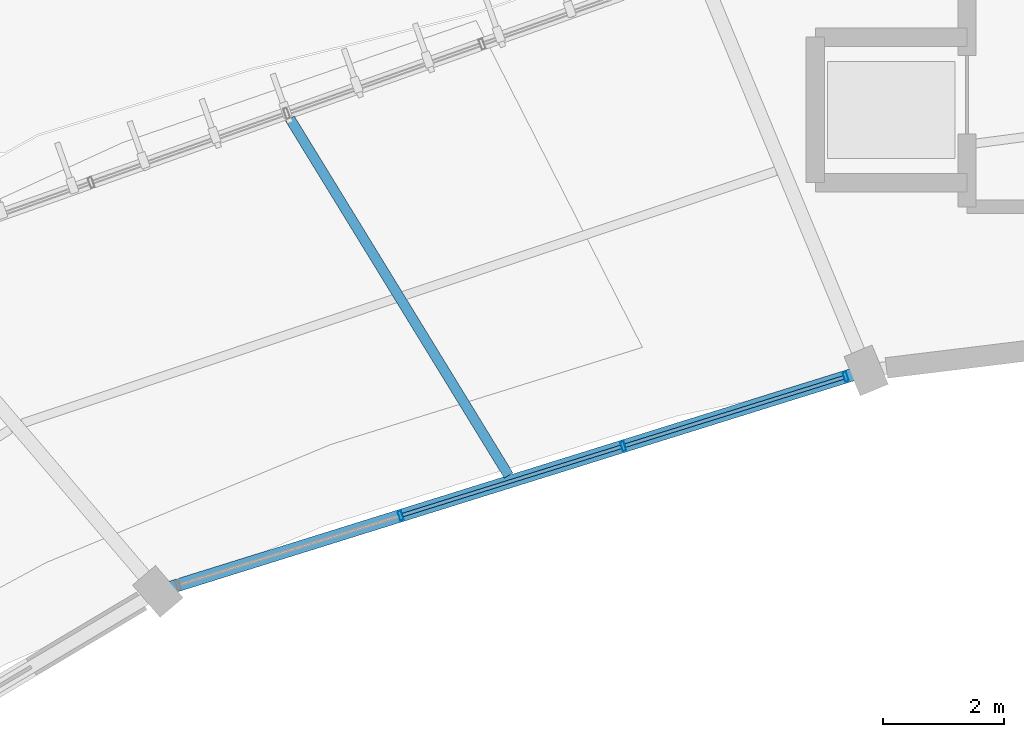
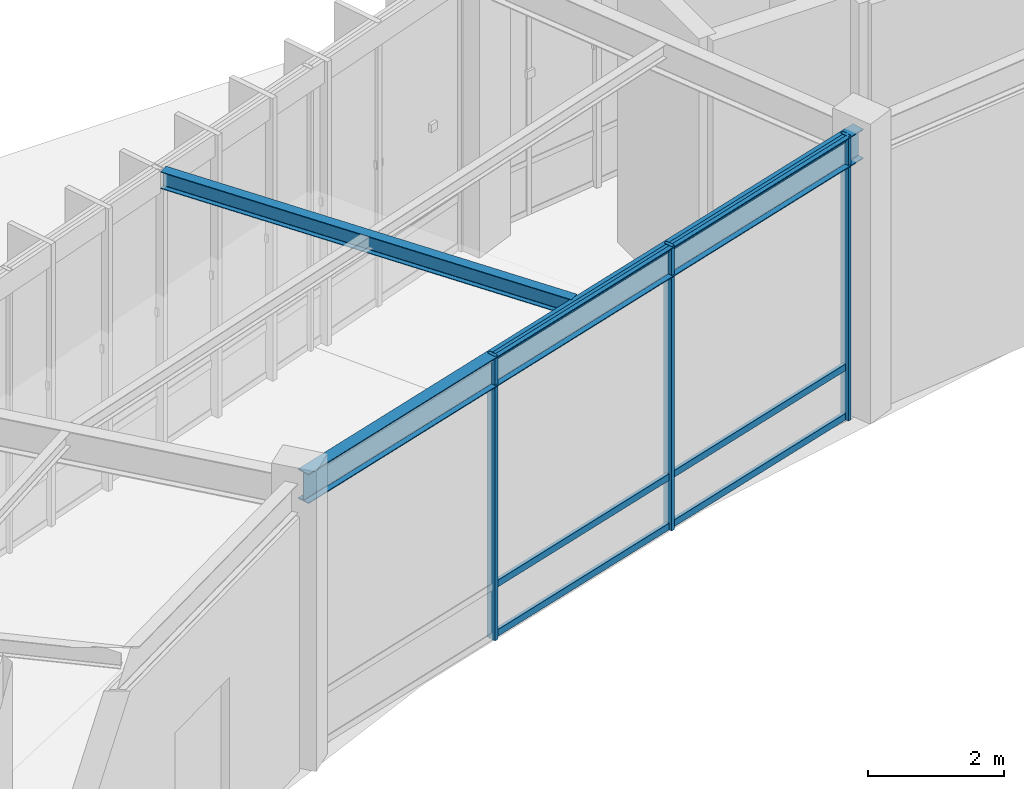
# One storey, part 67 of 157: 9 members, 2 beams, 1 element without a shape of its own.
"""IFC4 building model written with IfcOpenShell, lengths in metres."""

import ifcopenshell
import ifcopenshell.guid

model = None  # the IFC model being written
_history = None  # IfcOwnerHistory: only IFC2X3 demands one
_inside = {}  # id of a spatial element -> (the spatial element, [elements in it])
_under = {}  # id of a project, library or spatial element -> (it, [spatial elements below it])
_declared = {}  # id of a project -> (the project, [libraries it declares])
_typed = {}  # id of a type object -> (the type object, [elements of that type])
_made_of = {}  # id of a material, layer set ... -> (it, [elements and type objects made of it])


def new_model(schema):
    """Start an empty IFC model of exactly this schema.

    Asked for "IFC4X3", IfcOpenShell would pick the latest addendum, in which some entities
    have other attributes; the version numbers below select the first issue.
    IFC2X3 requires an IfcOwnerHistory on every rooted entity: one is made here for all.
    """
    global model, _history
    if schema == "IFC4X3":
        model = ifcopenshell.file(schema_version=(4, 3, 0, 0))
    else:
        model = ifcopenshell.file(schema=schema)
    _inside.clear()
    _under.clear()
    _declared.clear()
    _typed.clear()
    _made_of.clear()
    _history = None
    if model.schema == "IFC2X3":
        org = make("IfcOrganization", Name="unknown")
        user = make(
            "IfcPersonAndOrganization",
            ThePerson=make("IfcPerson", FamilyName="unknown"),
            TheOrganization=org,
        )
        app = make(
            "IfcApplication",
            ApplicationDeveloper=org,
            Version="unknown",
            ApplicationFullName="unknown",
            ApplicationIdentifier="unknown",
        )
        _history = make(
            "IfcOwnerHistory",
            OwningUser=user,
            OwningApplication=app,
            ChangeAction="ADDED",
            CreationDate=0,
        )
    return model


def make(cls, **values):
    """One entity of the class cls with the attributes given. An attribute that is None is left unset."""
    return model.create_entity(
        cls, **{name: value for name, value in values.items() if value is not None}
    )


def rooted(cls, **values):
    """An entity with a GlobalId (a new one), such as an element, a storey or a relation."""
    return make(cls, GlobalId=ifcopenshell.guid.new(), OwnerHistory=_history, **values)


def si_unit(unit_type, name, prefix=None):
    """IfcSIUnit, for example si_unit("LENGTHUNIT", "METRE", prefix="MILLI")."""
    return make("IfcSIUnit", UnitType=unit_type, Prefix=prefix, Name=name)


def assignment(units):
    """IfcUnitAssignment: the units of a project."""
    return None if units is None else make("IfcUnitAssignment", Units=units)


def point(xyz):
    """IfcCartesianPoint."""
    return None if xyz is None else make("IfcCartesianPoint", Coordinates=xyz)


def direction(xyz):
    """IfcDirection."""
    return None if xyz is None else make("IfcDirection", DirectionRatios=xyz)


def frame(location, z_axis=None, x_axis=None):
    """IfcAxis2Placement3D, a coordinate frame: its origin and axes. An axis left out is left unset."""
    return make(
        "IfcAxis2Placement3D",
        Location=point(location),
        Axis=direction(z_axis),
        RefDirection=direction(x_axis),
    )


def frame_2d(location, x_axis=None):
    """IfcAxis2Placement2D, a coordinate frame in the plane: its origin and x axis."""
    return make(
        "IfcAxis2Placement2D", Location=point(location), RefDirection=direction(x_axis)
    )


def origin():
    """The frame at (0, 0, 0) with its axes left unset."""
    return frame((0.0, 0.0, 0.0))


def origin_2d():
    """The frame at (0, 0) in the plane with its x axis left unset."""
    return frame_2d((0.0, 0.0))


def place(relative_to, where):
    """IfcLocalPlacement: puts the frame where relative to a parent placement (None: the world)."""
    return make(
        "IfcLocalPlacement", PlacementRelTo=relative_to, RelativePlacement=where
    )


def context(
    kind, dimensions, precision=None, world=None, true_north=None, identifier=None
):
    """IfcGeometricRepresentationContext, for example the 3D "Model" context."""
    return make(
        "IfcGeometricRepresentationContext",
        ContextIdentifier=identifier,
        ContextType=kind,
        CoordinateSpaceDimension=dimensions,
        Precision=precision,
        WorldCoordinateSystem=world,
        TrueNorth=true_north,
    )


def subcontext(parent, identifier, kind, view, scale=None):
    """IfcGeometricRepresentationSubContext, for example "Body" below "Model"."""
    return make(
        "IfcGeometricRepresentationSubContext",
        ContextIdentifier=identifier,
        ContextType=kind,
        ParentContext=parent,
        TargetScale=scale,
        TargetView=view,
    )


def project(units=None, contexts=None):
    """IfcProject with its units and contexts."""
    return rooted(
        "IfcProject",
        Name="project",
        RepresentationContexts=contexts,
        UnitsInContext=assignment(units),
    )


def spatial(cls, under=None, at=None, **own):
    """A site, building, storey or space (cls), placed at a placement, below another one or the project."""
    s = rooted(cls, ObjectPlacement=at, **own)
    if under is not None:
        _under.setdefault(under.id(), (under, []))[1].append(s)
    return s


def profile(cls, at=None, kind="AREA", **sizes):
    """A parametric profile (cls). Its sizes go by their IFC names, for example OverallWidth=200.0."""
    return make(cls, ProfileType=kind, Position=at, **sizes)


def hollow_rectangle(**sizes):
    """IfcRectangleHollowProfileDef."""
    return profile("IfcRectangleHollowProfileDef", **sizes)


def i_section(**sizes):
    """IfcIShapeProfileDef."""
    return profile("IfcIShapeProfileDef", **sizes)


def extrude(swept, where, along, depth):
    """IfcExtrudedAreaSolid: the profile swept, set in the frame where, extruded along a direction by depth."""
    return make(
        "IfcExtrudedAreaSolid",
        SweptArea=swept,
        Position=where,
        ExtrudedDirection=direction(along),
        Depth=depth,
    )


def shape(context_of_items, identifier, shape_type, items):
    """IfcShapeRepresentation: the items that make up one representation, for example the "Body"."""
    return make(
        "IfcShapeRepresentation",
        ContextOfItems=context_of_items,
        RepresentationIdentifier=identifier,
        RepresentationType=shape_type,
        Items=items,
    )


def material(Name=None, Category=None):
    """IfcMaterial."""
    return make("IfcMaterial", Name=Name, Category=Category)


def material_profile(
    of_material, cross_section, Name=None, Category=None, Priority=None
):
    """IfcMaterialProfile: a cross section and its material."""
    return make(
        "IfcMaterialProfile",
        Name=Name,
        Material=of_material,
        Profile=cross_section,
        Priority=Priority,
        Category=Category,
    )


def profile_set(profiles, Name=None, composite=None):
    """IfcMaterialProfileSet."""
    return make(
        "IfcMaterialProfileSet",
        Name=Name,
        MaterialProfiles=profiles,
        CompositeProfile=composite,
    )


def made_of(thing, what):
    """Note that an element or type object is made of a material, layer set ...; save() writes the relation."""
    if what is not None:
        _made_of.setdefault(what.id(), (what, []))[1].append(thing)
    return thing


def type_object(cls, material=None, **own):
    """A type object (cls), such as IfcWallType, which elements share."""
    return made_of(rooted(cls, **own), material)


def element(
    cls,
    number,
    at=None,
    inside=None,
    cuts=None,
    type_object=None,
    material=None,
    context=None,
    identifier="Body",
    shape_type=None,
    held_by="IfcProductDefinitionShape",
    body=None,
    shapes=None,
    **own,
):
    """One element of the class cls, such as IfcWall. Its Tag is "e" and its number.

    at: its placement. inside: the storey or other place that contains it. cuts: it is an
    opening in that element (IfcRelVoidsElement). A single representation is given by context,
    identifier, shape_type and body (its items); several are given by shapes. held_by: the class
    of the entity that holds the representations. save() writes the other relations.
    """
    e = rooted(cls, Tag="e%d" % number, ObjectPlacement=at, **own)
    if body is not None:
        shapes = [shape(context, identifier, shape_type, body)]
    if shapes is not None:
        e.Representation = make(held_by, Representations=shapes)
    if inside is not None:
        _inside.setdefault(inside.id(), (inside, []))[1].append(e)
    if cuts is not None:
        rooted(
            "IfcRelVoidsElement", RelatingBuildingElement=cuts, RelatedOpeningElement=e
        )
    if type_object is not None:
        _typed.setdefault(type_object.id(), (type_object, []))[1].append(e)
    return made_of(e, material)


def aggregate(whole, parts):
    """IfcRelAggregates: a whole, such as a stair, and the parts it consists of."""
    return rooted("IfcRelAggregates", RelatingObject=whole, RelatedObjects=parts)


def save(model, path):
    """Write the relations noted so far, then the file.

    IfcRelAggregates (storeys below a building ...), IfcRelContainedInSpatialStructure (elements
    in a storey), IfcRelDefinesByType, IfcRelAssociatesMaterial and IfcRelDeclares: one each for
    every whole, place, type object, material and project.
    """
    for whole, parts in _under.values():
        aggregate(whole, parts)
    for where, things in _inside.values():
        rooted(
            "IfcRelContainedInSpatialStructure",
            RelatedElements=things,
            RelatingStructure=where,
        )
    for kind, things in _typed.values():
        rooted("IfcRelDefinesByType", RelatedObjects=things, RelatingType=kind)
    for what, things in _made_of.values():
        rooted("IfcRelAssociatesMaterial", RelatedObjects=things, RelatingMaterial=what)
    for by, libraries in _declared.values():
        rooted("IfcRelDeclares", RelatingContext=by, RelatedDefinitions=libraries)
    model.write(path)


model = new_model("IFC4")

# Units and contexts
model_context = context("Model", 3, precision=1e-05, world=origin(), true_north=direction((0.0, 1.0)))
body_context = subcontext(model_context, "Body", "Model", "MODEL_VIEW")
ifc_project = project(units=[si_unit("LENGTHUNIT", "METRE"), si_unit("AREAUNIT", "SQUARE_METRE"), si_unit("VOLUMEUNIT", "CUBIC_METRE"), si_unit("PLANEANGLEUNIT", "RADIAN"), si_unit("MASSUNIT", "GRAM", prefix="KILO"), si_unit("THERMODYNAMICTEMPERATUREUNIT", "KELVIN"), si_unit("POWERUNIT", "WATT")], contexts=[model_context])

# Site, building, storey
site_placement = place(None, origin())
site = spatial("IfcSite", under=ifc_project, at=site_placement, CompositionType="ELEMENT")
building_placement = place(site_placement, origin())
building = spatial("IfcBuilding", under=site, at=building_placement, Name="Darbajah Civic Hall", CompositionType="ELEMENT")
storey_placement = place(building_placement, origin())
storey = spatial("IfcBuildingStorey", under=building, at=storey_placement, Name="L00", CompositionType="ELEMENT", Elevation=0.0)

# Curtain wall, members
ifc_material_1 = material(Name="Anodised Bronze Aluminium and Low-E Glazing", Category="aluminium")
curtain_wall_type = type_object("IfcCurtainWallType", Name="Unitised Curtain Wall CW-07 11500x5100", PredefinedType="USERDEFINED", material=ifc_material_1)
curtain_wall_placement = place(storey_placement, origin())
curtain_wall = element("IfcCurtainWall", 1, at=curtain_wall_placement, inside=storey, type_object=curtain_wall_type, Name="L00 unitised curtain wall CW-V1I-L00-06", ObjectType="UNITISED CURTAIN WALL", PredefinedType="USERDEFINED")
ifc_material_2 = material(Name="Anodised Bronze Aluminium", Category="aluminium")
ifc_material_profile_1 = material_profile(ifc_material_2, hollow_rectangle(XDim=0.06005859375, YDim=0.159912109375, WallThickness=0.00341796875, at=origin_2d()), Name="ALU MULLION 60x160")
ifc_profile_set_1 = profile_set([ifc_material_profile_1], Name="Anodised Bronze Aluminium")
member_type_1 = type_object("IfcMemberType", Name="ALU MULLION 60x160", PredefinedType="MULLION", material=ifc_profile_set_1)
member_1_placement = place(storey_placement, frame((72.00244140625, 110.297607421875, 0.0), z_axis=(0.0, 0.0, 1.0), x_axis=(-0.954604963513, -0.297874744877, 0.0)))
member_1 = element("IfcMember", 2, at=member_1_placement, type_object=member_type_1, Name="CW-V1I-L00-06 mullion 1", PredefinedType="MULLION", context=body_context, shape_type="SweptSolid", body=[
    extrude(hollow_rectangle(XDim=0.06005859375, YDim=0.159912109375, WallThickness=0.00341796875, at=origin_2d()), origin(), (0.0, 0.0, 1.0), 5.1201171875),
])
member_2_placement = place(storey_placement, frame((68.331787109375, 109.15234375, 0.0), z_axis=(0.0, 0.0, 1.0), x_axis=(-0.954604963513, -0.297874744877, 0.0)))
member_2 = element("IfcMember", 3, at=member_2_placement, type_object=member_type_1, Name="CW-V1I-L00-06 mullion 2", PredefinedType="MULLION", context=body_context, shape_type="SweptSolid", body=[
    extrude(hollow_rectangle(XDim=0.06005859375, YDim=0.159912109375, WallThickness=0.00341796875, at=origin_2d()), origin(), (0.0, 0.0, 1.0), 5.1201171875),
])
member_3_placement = place(storey_placement, frame((64.660888671875, 108.007080078125, 0.0), z_axis=(0.0, 0.0, 1.0), x_axis=(-0.954604963513, -0.297874744877, 0.0)))
member_3 = element("IfcMember", 4, at=member_3_placement, type_object=member_type_1, Name="CW-V1I-L00-06 mullion 3", PredefinedType="MULLION", context=body_context, shape_type="SweptSolid", body=[
    extrude(hollow_rectangle(XDim=0.06005859375, YDim=0.159912109375, WallThickness=0.00341796875, at=origin_2d()), origin(), (0.0, 0.0, 1.0), 5.1201171875),
])
ifc_material_profile_2 = material_profile(ifc_material_2, hollow_rectangle(XDim=0.06005859375, YDim=0.1201171875, WallThickness=0.003173828125, at=origin_2d()), Name="ALU TRANSOM 60x120")
ifc_profile_set_2 = profile_set([ifc_material_profile_2], Name="Anodised Bronze Aluminium")
member_type_2 = type_object("IfcMemberType", Name="ALU TRANSOM 60x120", PredefinedType="USERDEFINED", material=ifc_profile_set_2)
member_4_placement = place(storey_placement, frame((71.968994140625, 110.287353515625, 0.06005859375), z_axis=(-0.954611060349, -0.297855205526, 0.0), x_axis=(0.297855205526, -0.954611060349, 0.0)))
member_4 = element("IfcMember", 5, at=member_4_placement, type_object=member_type_2, Name="CW-V1I-L00-06 transom 1.1", ObjectType="TRANSOM", PredefinedType="USERDEFINED", context=body_context, shape_type="SweptSolid", body=[
    extrude(hollow_rectangle(XDim=0.06005859375, YDim=0.1201171875, WallThickness=0.003173828125, at=origin_2d()), origin(), (0.0, 0.0, 1.0), 3.775390625),
])
member_5_placement = place(storey_placement, frame((71.968994140625, 110.287353515625, 0.949951171875), z_axis=(-0.954611060349, -0.297855205526, 0.0), x_axis=(0.297855205526, -0.954611060349, 0.0)))
member_5 = element("IfcMember", 6, at=member_5_placement, type_object=member_type_2, Name="CW-V1I-L00-06 transom 1.2", ObjectType="TRANSOM", PredefinedType="USERDEFINED", context=body_context, shape_type="SweptSolid", body=[
    extrude(hollow_rectangle(XDim=0.06005859375, YDim=0.1201171875, WallThickness=0.003173828125, at=origin_2d()), origin(), (0.0, 0.0, 1.0), 3.775390625),
])
member_6_placement = place(storey_placement, frame((71.968994140625, 110.287353515625, 5.06005859375), z_axis=(-0.954611060349, -0.297855205526, 0.0), x_axis=(0.297855205526, -0.954611060349, 0.0)))
member_6 = element("IfcMember", 7, at=member_6_placement, type_object=member_type_2, Name="CW-V1I-L00-06 transom 1.3", ObjectType="TRANSOM", PredefinedType="USERDEFINED", context=body_context, shape_type="SweptSolid", body=[
    extrude(hollow_rectangle(XDim=0.06005859375, YDim=0.1201171875, WallThickness=0.003173828125, at=origin_2d()), origin(), (0.0, 0.0, 1.0), 3.775390625),
])
member_7_placement = place(storey_placement, frame((68.29833984375, 109.14208984375, 0.06005859375), z_axis=(-0.954611060349, -0.297855205526, 0.0), x_axis=(0.297855205526, -0.954611060349, 0.0)))
member_7 = element("IfcMember", 8, at=member_7_placement, type_object=member_type_2, Name="CW-V1I-L00-06 transom 2.1", ObjectType="TRANSOM", PredefinedType="USERDEFINED", context=body_context, shape_type="SweptSolid", body=[
    extrude(hollow_rectangle(XDim=0.06005859375, YDim=0.1201171875, WallThickness=0.003173828125, at=origin_2d()), origin(), (0.0, 0.0, 1.0), 3.775390625),
])
member_8_placement = place(storey_placement, frame((68.29833984375, 109.14208984375, 0.949951171875), z_axis=(-0.954611060349, -0.297855205526, 0.0), x_axis=(0.297855205526, -0.954611060349, 0.0)))
member_8 = element("IfcMember", 9, at=member_8_placement, type_object=member_type_2, Name="CW-V1I-L00-06 transom 2.2", ObjectType="TRANSOM", PredefinedType="USERDEFINED", context=body_context, shape_type="SweptSolid", body=[
    extrude(hollow_rectangle(XDim=0.06005859375, YDim=0.1201171875, WallThickness=0.003173828125, at=origin_2d()), origin(), (0.0, 0.0, 1.0), 3.775390625),
])
member_9_placement = place(storey_placement, frame((68.29833984375, 109.14208984375, 5.06005859375), z_axis=(-0.954611060349, -0.297855205526, 0.0), x_axis=(0.297855205526, -0.954611060349, 0.0)))
member_9 = element("IfcMember", 10, at=member_9_placement, type_object=member_type_2, Name="CW-V1I-L00-06 transom 2.3", ObjectType="TRANSOM", PredefinedType="USERDEFINED", context=body_context, shape_type="SweptSolid", body=[
    extrude(hollow_rectangle(XDim=0.06005859375, YDim=0.1201171875, WallThickness=0.003173828125, at=origin_2d()), origin(), (0.0, 0.0, 1.0), 3.775390625),
])
aggregate(curtain_wall, [member_1, member_2, member_3, member_4, member_5, member_6, member_7, member_8, member_9])

# Beams
ifc_material_3 = material(Name="Steel S355JR", Category="steel")
ifc_material_profile_3 = material_profile(ifc_material_3, i_section(OverallWidth=0.165771484375, OverallDepth=0.306640625, WebThickness=0.006591796875, FlangeThickness=0.01171875, FilletRadius=0.0087890625, at=origin_2d()), Name="UB 305x165x46")
ifc_profile_set_3 = profile_set([ifc_material_profile_3], Name="Steel S355JR")
beam_type_1 = type_object("IfcBeamType", Name="UB 305x165x46", PredefinedType="JOIST", material=ifc_profile_set_3)
beam_1_placement = place(storey_placement, frame((66.44091796875, 108.670166015625, 4.966796875), z_axis=(-0.522498199588, 0.852640388105, 0.0), x_axis=(-0.852640388105, -0.522498199588, 0.0)))
element("IfcBeam", 11, at=beam_1_placement, inside=storey, type_object=beam_type_1, Name="L00 beam SJ-305", PredefinedType="JOIST", context=body_context, shape_type="SweptSolid", body=[
    extrude(i_section(OverallWidth=0.165771484375, OverallDepth=0.306640625, WebThickness=0.006591796875, FlangeThickness=0.01171875, FilletRadius=0.0087890625, at=origin_2d()), origin(), (0.0, 0.0, 1.0), 6.9033203125),
])
ifc_material_profile_4 = material_profile(ifc_material_3, i_section(OverallWidth=0.209228515625, OverallDepth=0.533203125, WebThickness=0.010009765625, FlangeThickness=0.015625, FilletRadius=0.0126953125, at=origin_2d()), Name="UB 533x210x92")
ifc_profile_set_4 = profile_set([ifc_material_profile_4], Name="Steel S355JR")
beam_type_2 = type_object("IfcBeamType", Name="UB 533x210x92", PredefinedType="BEAM", material=ifc_profile_set_4)
beam_2_placement = place(storey_placement, frame((72.26220703125, 110.378662109375, 4.853515625), z_axis=(-0.954619766764, -0.297827300468, 0.0), x_axis=(0.297827300468, -0.954619766764, 0.0)))
element("IfcBeam", 12, at=beam_2_placement, inside=storey, type_object=beam_type_2, Name="L00 beam SB-533", PredefinedType="BEAM", context=body_context, shape_type="SweptSolid", body=[
    extrude(i_section(OverallWidth=0.209228515625, OverallDepth=0.533203125, WebThickness=0.010009765625, FlangeThickness=0.015625, FilletRadius=0.0126953125, at=origin_2d()), origin(), (0.0, 0.0, 1.0), 12.07958984375),
])

save(model, "model.ifc")
